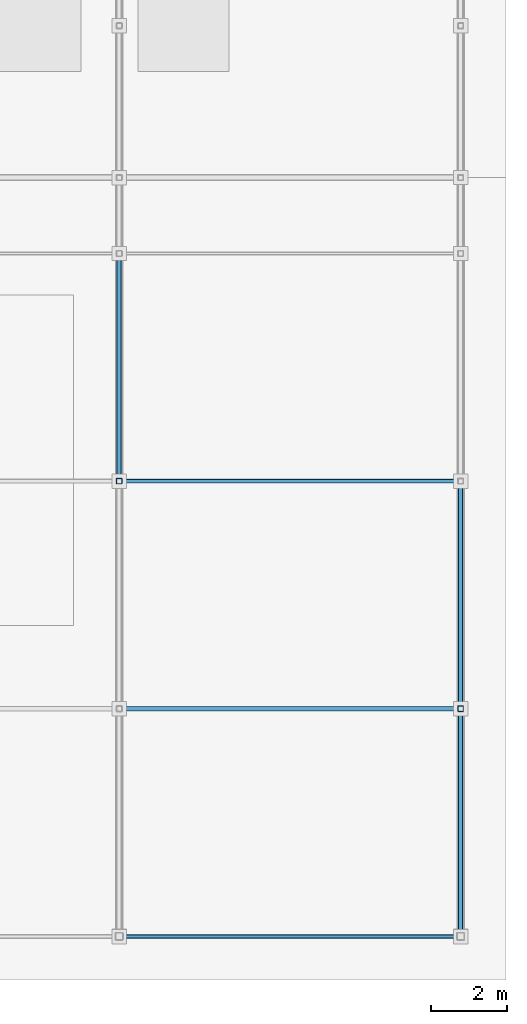
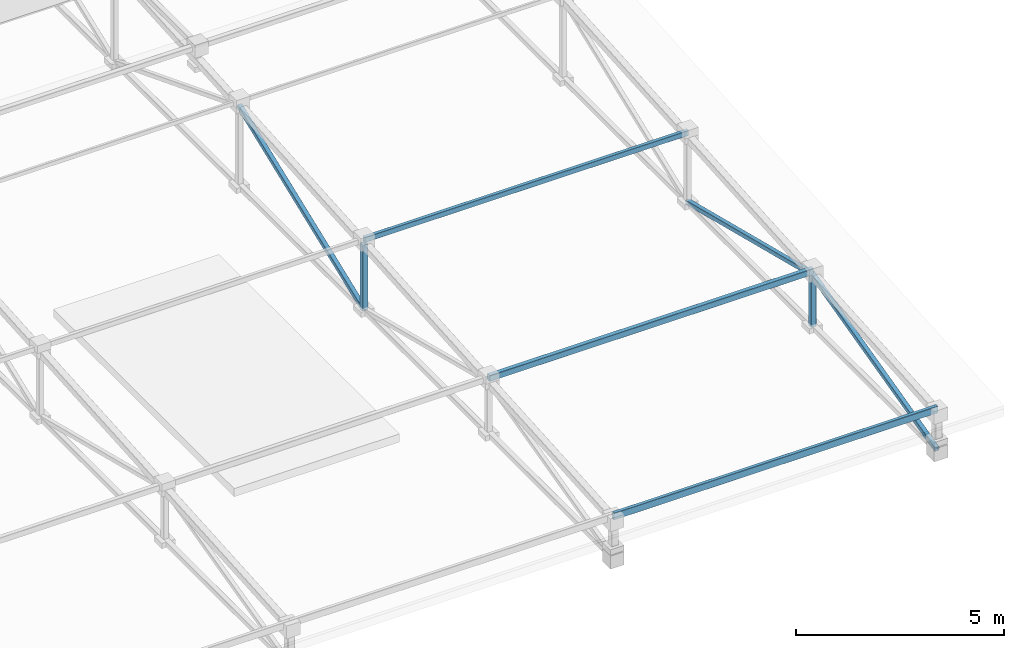
# One storey, part 21 of 85: 8 members.
"""IFC4 building model written with IfcOpenShell, lengths in metres."""

import ifcopenshell
import ifcopenshell.guid

model = None  # the IFC model being written
_history = None  # IfcOwnerHistory: only IFC2X3 demands one
_inside = {}  # id of a spatial element -> (the spatial element, [elements in it])
_under = {}  # id of a project, library or spatial element -> (it, [spatial elements below it])
_declared = {}  # id of a project -> (the project, [libraries it declares])
_typed = {}  # id of a type object -> (the type object, [elements of that type])
_made_of = {}  # id of a material, layer set ... -> (it, [elements and type objects made of it])


def new_model(schema):
    """Start an empty IFC model of exactly this schema.

    Asked for "IFC4X3", IfcOpenShell would pick the latest addendum, in which some entities
    have other attributes; the version numbers below select the first issue.
    IFC2X3 requires an IfcOwnerHistory on every rooted entity: one is made here for all.
    """
    global model, _history
    if schema == "IFC4X3":
        model = ifcopenshell.file(schema_version=(4, 3, 0, 0))
    else:
        model = ifcopenshell.file(schema=schema)
    _inside.clear()
    _under.clear()
    _declared.clear()
    _typed.clear()
    _made_of.clear()
    _history = None
    if model.schema == "IFC2X3":
        org = make("IfcOrganization", Name="unknown")
        user = make(
            "IfcPersonAndOrganization",
            ThePerson=make("IfcPerson", FamilyName="unknown"),
            TheOrganization=org,
        )
        app = make(
            "IfcApplication",
            ApplicationDeveloper=org,
            Version="unknown",
            ApplicationFullName="unknown",
            ApplicationIdentifier="unknown",
        )
        _history = make(
            "IfcOwnerHistory",
            OwningUser=user,
            OwningApplication=app,
            ChangeAction="ADDED",
            CreationDate=0,
        )
    return model


def make(cls, **values):
    """One entity of the class cls with the attributes given. An attribute that is None is left unset."""
    return model.create_entity(
        cls, **{name: value for name, value in values.items() if value is not None}
    )


def rooted(cls, **values):
    """An entity with a GlobalId (a new one), such as an element, a storey or a relation."""
    return make(cls, GlobalId=ifcopenshell.guid.new(), OwnerHistory=_history, **values)


def si_unit(unit_type, name, prefix=None):
    """IfcSIUnit, for example si_unit("LENGTHUNIT", "METRE", prefix="MILLI")."""
    return make("IfcSIUnit", UnitType=unit_type, Prefix=prefix, Name=name)


def assignment(units):
    """IfcUnitAssignment: the units of a project."""
    return None if units is None else make("IfcUnitAssignment", Units=units)


def point(xyz):
    """IfcCartesianPoint."""
    return None if xyz is None else make("IfcCartesianPoint", Coordinates=xyz)


def direction(xyz):
    """IfcDirection."""
    return None if xyz is None else make("IfcDirection", DirectionRatios=xyz)


def frame(location, z_axis=None, x_axis=None):
    """IfcAxis2Placement3D, a coordinate frame: its origin and axes. An axis left out is left unset."""
    return make(
        "IfcAxis2Placement3D",
        Location=point(location),
        Axis=direction(z_axis),
        RefDirection=direction(x_axis),
    )


def frame_2d(location, x_axis=None):
    """IfcAxis2Placement2D, a coordinate frame in the plane: its origin and x axis."""
    return make(
        "IfcAxis2Placement2D", Location=point(location), RefDirection=direction(x_axis)
    )


def origin():
    """The frame at (0, 0, 0) with its axes left unset."""
    return frame((0.0, 0.0, 0.0))


def origin_2d():
    """The frame at (0, 0) in the plane with its x axis left unset."""
    return frame_2d((0.0, 0.0))


def place(relative_to, where):
    """IfcLocalPlacement: puts the frame where relative to a parent placement (None: the world)."""
    return make(
        "IfcLocalPlacement", PlacementRelTo=relative_to, RelativePlacement=where
    )


def context(
    kind, dimensions, precision=None, world=None, true_north=None, identifier=None
):
    """IfcGeometricRepresentationContext, for example the 3D "Model" context."""
    return make(
        "IfcGeometricRepresentationContext",
        ContextIdentifier=identifier,
        ContextType=kind,
        CoordinateSpaceDimension=dimensions,
        Precision=precision,
        WorldCoordinateSystem=world,
        TrueNorth=true_north,
    )


def subcontext(parent, identifier, kind, view, scale=None):
    """IfcGeometricRepresentationSubContext, for example "Body" below "Model"."""
    return make(
        "IfcGeometricRepresentationSubContext",
        ContextIdentifier=identifier,
        ContextType=kind,
        ParentContext=parent,
        TargetScale=scale,
        TargetView=view,
    )


def project(units=None, contexts=None):
    """IfcProject with its units and contexts."""
    return rooted(
        "IfcProject",
        Name="project",
        RepresentationContexts=contexts,
        UnitsInContext=assignment(units),
    )


def spatial(cls, under=None, at=None, **own):
    """A site, building, storey or space (cls), placed at a placement, below another one or the project."""
    s = rooted(cls, ObjectPlacement=at, **own)
    if under is not None:
        _under.setdefault(under.id(), (under, []))[1].append(s)
    return s


def profile(cls, at=None, kind="AREA", **sizes):
    """A parametric profile (cls). Its sizes go by their IFC names, for example OverallWidth=200.0."""
    return make(cls, ProfileType=kind, Position=at, **sizes)


def hollow_rectangle(**sizes):
    """IfcRectangleHollowProfileDef."""
    return profile("IfcRectangleHollowProfileDef", **sizes)


def extrude(swept, where, along, depth):
    """IfcExtrudedAreaSolid: the profile swept, set in the frame where, extruded along a direction by depth."""
    return make(
        "IfcExtrudedAreaSolid",
        SweptArea=swept,
        Position=where,
        ExtrudedDirection=direction(along),
        Depth=depth,
    )


def shape(context_of_items, identifier, shape_type, items):
    """IfcShapeRepresentation: the items that make up one representation, for example the "Body"."""
    return make(
        "IfcShapeRepresentation",
        ContextOfItems=context_of_items,
        RepresentationIdentifier=identifier,
        RepresentationType=shape_type,
        Items=items,
    )


def material(Name=None, Category=None):
    """IfcMaterial."""
    return make("IfcMaterial", Name=Name, Category=Category)


def material_profile(
    of_material, cross_section, Name=None, Category=None, Priority=None
):
    """IfcMaterialProfile: a cross section and its material."""
    return make(
        "IfcMaterialProfile",
        Name=Name,
        Material=of_material,
        Profile=cross_section,
        Priority=Priority,
        Category=Category,
    )


def profile_set(profiles, Name=None, composite=None):
    """IfcMaterialProfileSet."""
    return make(
        "IfcMaterialProfileSet",
        Name=Name,
        MaterialProfiles=profiles,
        CompositeProfile=composite,
    )


def made_of(thing, what):
    """Note that an element or type object is made of a material, layer set ...; save() writes the relation."""
    if what is not None:
        _made_of.setdefault(what.id(), (what, []))[1].append(thing)
    return thing


def type_object(cls, material=None, **own):
    """A type object (cls), such as IfcWallType, which elements share."""
    return made_of(rooted(cls, **own), material)


def element(
    cls,
    number,
    at=None,
    inside=None,
    cuts=None,
    type_object=None,
    material=None,
    context=None,
    identifier="Body",
    shape_type=None,
    held_by="IfcProductDefinitionShape",
    body=None,
    shapes=None,
    **own,
):
    """One element of the class cls, such as IfcWall. Its Tag is "e" and its number.

    at: its placement. inside: the storey or other place that contains it. cuts: it is an
    opening in that element (IfcRelVoidsElement). A single representation is given by context,
    identifier, shape_type and body (its items); several are given by shapes. held_by: the class
    of the entity that holds the representations. save() writes the other relations.
    """
    e = rooted(cls, Tag="e%d" % number, ObjectPlacement=at, **own)
    if body is not None:
        shapes = [shape(context, identifier, shape_type, body)]
    if shapes is not None:
        e.Representation = make(held_by, Representations=shapes)
    if inside is not None:
        _inside.setdefault(inside.id(), (inside, []))[1].append(e)
    if cuts is not None:
        rooted(
            "IfcRelVoidsElement", RelatingBuildingElement=cuts, RelatedOpeningElement=e
        )
    if type_object is not None:
        _typed.setdefault(type_object.id(), (type_object, []))[1].append(e)
    return made_of(e, material)


def aggregate(whole, parts):
    """IfcRelAggregates: a whole, such as a stair, and the parts it consists of."""
    return rooted("IfcRelAggregates", RelatingObject=whole, RelatedObjects=parts)


def save(model, path):
    """Write the relations noted so far, then the file.

    IfcRelAggregates (storeys below a building ...), IfcRelContainedInSpatialStructure (elements
    in a storey), IfcRelDefinesByType, IfcRelAssociatesMaterial and IfcRelDeclares: one each for
    every whole, place, type object, material and project.
    """
    for whole, parts in _under.values():
        aggregate(whole, parts)
    for where, things in _inside.values():
        rooted(
            "IfcRelContainedInSpatialStructure",
            RelatedElements=things,
            RelatingStructure=where,
        )
    for kind, things in _typed.values():
        rooted("IfcRelDefinesByType", RelatedObjects=things, RelatingType=kind)
    for what, things in _made_of.values():
        rooted("IfcRelAssociatesMaterial", RelatedObjects=things, RelatingMaterial=what)
    for by, libraries in _declared.values():
        rooted("IfcRelDeclares", RelatingContext=by, RelatedDefinitions=libraries)
    model.write(path)


model = new_model("IFC4")

# Units and contexts
model_context = context("Model", 3, precision=1e-05, world=origin(), true_north=direction((0.0, 1.0)))
body_context = subcontext(model_context, "Body", "Model", "MODEL_VIEW")
ifc_project = project(units=[si_unit("LENGTHUNIT", "METRE"), si_unit("AREAUNIT", "SQUARE_METRE"), si_unit("VOLUMEUNIT", "CUBIC_METRE"), si_unit("PLANEANGLEUNIT", "RADIAN"), si_unit("MASSUNIT", "GRAM", prefix="KILO"), si_unit("THERMODYNAMICTEMPERATUREUNIT", "KELVIN"), si_unit("POWERUNIT", "WATT")], contexts=[model_context])

# Site, building, storey
site_placement = place(None, origin())
site = spatial("IfcSite", under=ifc_project, at=site_placement, CompositionType="ELEMENT")
building_placement = place(site_placement, origin())
building = spatial("IfcBuilding", under=site, at=building_placement, Name="Zelmaris Science Centre", CompositionType="ELEMENT")
storey_placement = place(building_placement, frame((0.0, 0.0, 20.39990234375)))
storey = spatial("IfcBuildingStorey", under=building, at=storey_placement, Name="L04", CompositionType="ELEMENT", Elevation=20.39990234375)

# Members
ifc_material = material(Name="Steel ASTM A500 Grade C", Category="steel")
ifc_material_profile_1 = material_profile(ifc_material, hollow_rectangle(XDim=0.1015625, YDim=0.203125, WallThickness=0.00732421875, InnerFilletRadius=0.00732421875, OuterFilletRadius=0.014892578125, at=origin_2d()), Name="HSS203X102X8")
ifc_profile_set_1 = profile_set([ifc_material_profile_1], Name="Steel ASTM A500 Grade C")
member_type_1 = type_object("IfcMemberType", Name="Roof Purlin PR-03 HSS203X102X8", PredefinedType="PURLIN", material=ifc_profile_set_1)
member_1_placement = place(storey_placement, frame((126.0, 8.0, 2.142822265625), z_axis=(1.0, 0.0, 0.0), x_axis=(0.0, 1.0, 0.0)))
element("IfcMember", 1, at=member_1_placement, inside=storey, type_object=member_type_1, Name="RF-V4 Roof purlin 17", PredefinedType="PURLIN", context=body_context, shape_type="SweptSolid", body=[
    extrude(hollow_rectangle(XDim=0.1015625, YDim=0.203125, WallThickness=0.00732421875, InnerFilletRadius=0.00732421875, OuterFilletRadius=0.014892578125, at=origin_2d()), origin(), (0.0, 0.0, 1.0), 9.0),
])
ifc_material_profile_2 = material_profile(ifc_material, hollow_rectangle(XDim=0.126953125, YDim=0.177734375, WallThickness=0.00732421875, InnerFilletRadius=0.00732421875, OuterFilletRadius=0.014892578125, at=origin_2d()), Name="HSS178X127X8")
ifc_profile_set_2 = profile_set([ifc_material_profile_2], Name="Steel ASTM A500 Grade C")
member_type_2 = type_object("IfcMemberType", Name="Roof Purlin PR-04 HSS178X127X8", PredefinedType="PURLIN", material=ifc_profile_set_2)
member_2_placement = place(storey_placement, frame((126.0, 14.0, 2.568115234375), z_axis=(1.0, 0.0, 0.0), x_axis=(0.0, 1.0, 0.0)))
element("IfcMember", 2, at=member_2_placement, inside=storey, type_object=member_type_2, Name="RF-V4 Roof purlin 18", PredefinedType="PURLIN", context=body_context, shape_type="SweptSolid", body=[
    extrude(hollow_rectangle(XDim=0.126953125, YDim=0.177734375, WallThickness=0.00732421875, InnerFilletRadius=0.00732421875, OuterFilletRadius=0.014892578125, at=origin_2d()), origin(), (0.0, 0.0, 1.0), 9.0),
])
ifc_material_profile_3 = material_profile(ifc_material, hollow_rectangle(XDim=0.1015625, YDim=0.15234375, WallThickness=0.005859375, InnerFilletRadius=0.005859375, OuterFilletRadius=0.01171875, at=origin_2d()), Name="HSS152X102X6")
ifc_profile_set_3 = profile_set([ifc_material_profile_3], Name="Steel ASTM A500 Grade C")
member_type_3 = type_object("IfcMemberType", Name="Roof Purlin PR-05 HSS152X102X6", PredefinedType="PURLIN", material=ifc_profile_set_3)
member_3_placement = place(storey_placement, frame((126.0, 20.0, 2.993408203125), z_axis=(1.0, 0.0, 0.0), x_axis=(0.0, 1.0, 0.0)))
element("IfcMember", 3, at=member_3_placement, inside=storey, type_object=member_type_3, Name="RF-V4 Roof purlin 19", PredefinedType="PURLIN", context=body_context, shape_type="SweptSolid", body=[
    extrude(hollow_rectangle(XDim=0.1015625, YDim=0.15234375, WallThickness=0.005859375, InnerFilletRadius=0.005859375, OuterFilletRadius=0.01171875, at=origin_2d()), origin(), (0.0, 0.0, 1.0), 9.0),
])
ifc_material_profile_4 = material_profile(ifc_material, hollow_rectangle(XDim=0.15234375, YDim=0.15234375, WallThickness=0.0087890625, InnerFilletRadius=0.0087890625, OuterFilletRadius=0.017822265625, at=origin_2d()), Name="HSS152X152X10")
ifc_profile_set_4 = profile_set([ifc_material_profile_4], Name="Steel ASTM A500 Grade C")
member_type_4 = type_object("IfcMemberType", Name="Structural Brace BR-03 HSS152X152X10", PredefinedType="BRACE", material=ifc_profile_set_4)
member_4_placement = place(storey_placement, frame((126.0, 20.0, 0.947998046875), z_axis=(0.0, 0.0, 1.0), x_axis=(1.0, 0.0, 0.0)))
element("IfcMember", 4, at=member_4_placement, inside=storey, type_object=member_type_4, Name="RF-V4 Roof truss 3 vertical web 2", PredefinedType="BRACE", context=body_context, shape_type="SweptSolid", body=[
    extrude(hollow_rectangle(XDim=0.15234375, YDim=0.15234375, WallThickness=0.0087890625, InnerFilletRadius=0.0087890625, OuterFilletRadius=0.017822265625, at=origin_2d()), origin(), (0.0, 0.0, 1.0), 1.9248046875),
])
member_5_placement = place(storey_placement, frame((135.0, 14.0, 0.947998046875), z_axis=(0.0, 0.0, 1.0), x_axis=(1.0, 0.0, 0.0)))
element("IfcMember", 5, at=member_5_placement, inside=storey, type_object=member_type_4, Name="RF-V4 Roof truss 4 vertical web 1", PredefinedType="BRACE", context=body_context, shape_type="SweptSolid", body=[
    extrude(hollow_rectangle(XDim=0.15234375, YDim=0.15234375, WallThickness=0.0087890625, InnerFilletRadius=0.0087890625, OuterFilletRadius=0.017822265625, at=origin_2d()), origin(), (0.0, 0.0, 1.0), 1.512451171875),
])
ifc_material_profile_5 = material_profile(ifc_material, hollow_rectangle(XDim=0.126953125, YDim=0.126953125, WallThickness=0.00732421875, InnerFilletRadius=0.00732421875, OuterFilletRadius=0.014892578125, at=origin_2d()), Name="HSS127X127X8")
ifc_profile_set_5 = profile_set([ifc_material_profile_5], Name="Steel ASTM A500 Grade C")
member_type_5 = type_object("IfcMemberType", Name="Structural Brace BR-04 HSS127X127X8", PredefinedType="BRACE", material=ifc_profile_set_5)
member_6_placement = place(storey_placement, frame((126.0, 20.0, 0.947998046875), z_axis=(0.0, 0.93179104927, 0.362995097075), x_axis=(-1.0, 0.0, 0.0)))
element("IfcMember", 6, at=member_6_placement, inside=storey, type_object=member_type_5, Name="RF-V4 Roof truss 3 web diagonal 3", PredefinedType="BRACE", context=body_context, shape_type="SweptSolid", body=[
    extrude(hollow_rectangle(XDim=0.126953125, YDim=0.126953125, WallThickness=0.00732421875, InnerFilletRadius=0.00732421875, OuterFilletRadius=0.014892578125, at=origin_2d()), origin(), (0.0, 0.0, 1.0), 6.439208984375),
])
for number, where, z_axis, x_axis, name in (
    (7, (135.0, 8.0, 0.947998046875), (0.0, 0.969667181253, 0.244429044102), (-1.0, 0.0, 0.0), "RF-V4 Roof truss 4 web diagonal 1"),
    (8, (135.0, 14.0, 2.46044921875), (0.0, 0.969667181253, -0.244429044102), (-1.0, 0.0, 0.0), "RF-V4 Roof truss 4 web diagonal 2"),
):
    element("IfcMember", number, at=place(storey_placement, frame(where, z_axis=z_axis, x_axis=x_axis)), inside=storey, type_object=member_type_5, Name=name, PredefinedType="BRACE", context=body_context, shape_type="SweptSolid", body=[
        extrude(hollow_rectangle(XDim=0.126953125, YDim=0.126953125, WallThickness=0.00732421875, InnerFilletRadius=0.00732421875, OuterFilletRadius=0.014892578125, at=origin_2d()), origin(), (0.0, 0.0, 1.0), 6.187744140625),
    ])

save(model, "model.ifc")
